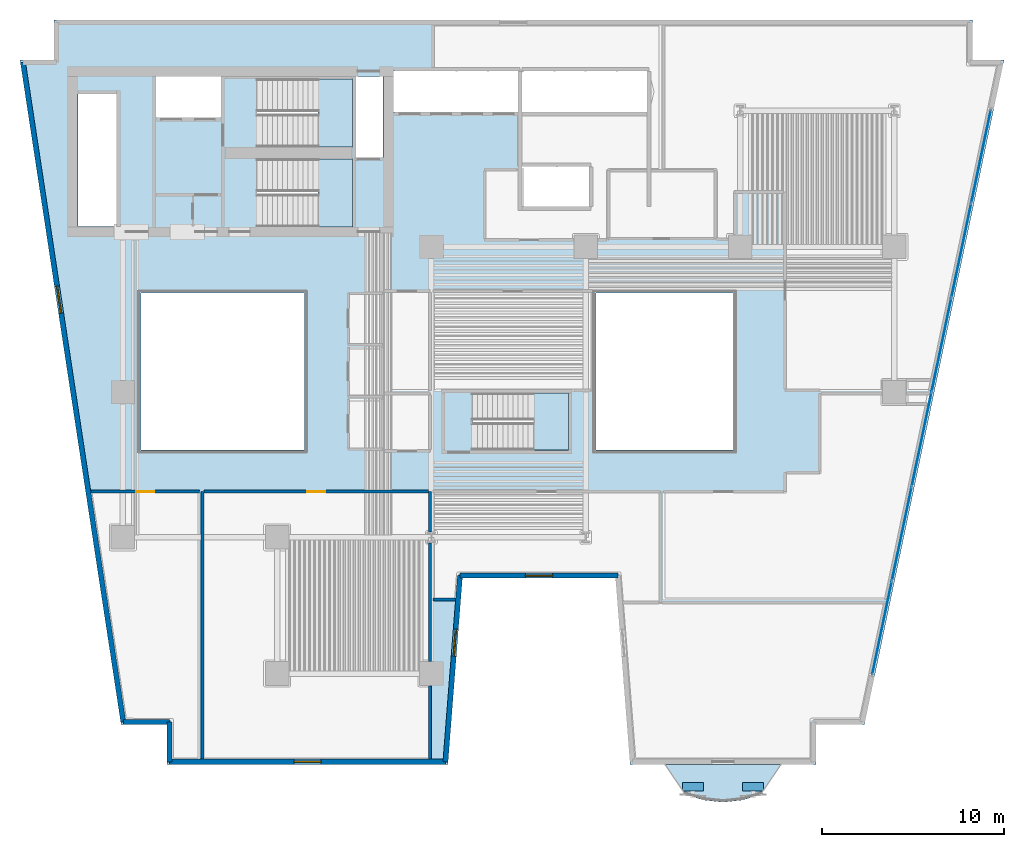
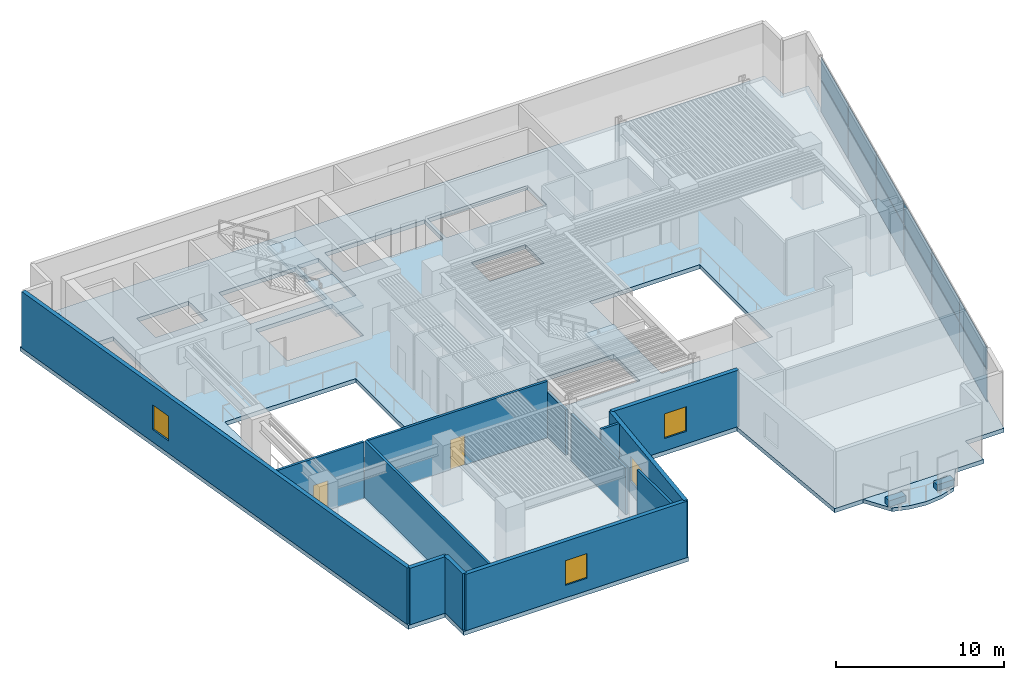
# One storey, part 3 of 11: 14 plates, 13 walls, 5 slabs, 4 windows, 2 doors, 6 openings, 4 elements without a shape of their own.
"""IFC4 building model written with IfcOpenShell, lengths in metres."""

from ifc_helpers import new_model, si_unit, direction, frame, frame_2d, origin, origin_2d, place, context, subcontext, project, spatial, polyline, rectangle, outline, extrude, material, layer, layer_set, type_object, element, fill, aggregate, save


model = new_model("IFC4")

# Units and contexts
model_context = context("Model", 3, precision=1e-05, world=origin(), true_north=direction((0.0, 1.0)))
body_context = subcontext(model_context, "Body", "Model", "MODEL_VIEW")
ifc_project = project(units=[si_unit("LENGTHUNIT", "METRE"), si_unit("AREAUNIT", "SQUARE_METRE"), si_unit("VOLUMEUNIT", "CUBIC_METRE"), si_unit("PLANEANGLEUNIT", "RADIAN"), si_unit("MASSUNIT", "GRAM", prefix="KILO")], contexts=[model_context])

# Site, building, storey
site_placement = place(None, origin())
site = spatial("IfcSite", under=ifc_project, at=site_placement, CompositionType="ELEMENT")
building_placement = place(site_placement, origin())
building = spatial("IfcBuilding", under=site, at=building_placement, Name="Caeloran Harvest Quay", CompositionType="ELEMENT")
storey_placement = place(building_placement, frame((0.0, 0.0, 40.199951171875)))
storey = spatial("IfcBuildingStorey", under=building, at=storey_placement, Name="L09", CompositionType="ELEMENT", Elevation=40.199951171875)

# Slab
ifc_material_1 = material(Name="Concrete C50/60", Category="concrete")
ifc_layer_1 = layer(ifc_material_1, 0.260009765625, Name="Concrete C50/60")
ifc_layer_set_1 = layer_set([ifc_layer_1], Name="Concrete C50/60")
slab_type_1 = type_object("IfcSlabType", Name="BALCONY-BL-260", PredefinedType="FLOOR", material=ifc_layer_set_1)
slab_1_placement = place(storey_placement, frame((0.0, 0.0, -0.260009765625)))
element("IfcSlab", 1, at=slab_1_placement, inside=storey, type_object=slab_type_1, Name="L09 Scalloped Cantilevered Planted Balcony Slab", PredefinedType="FLOOR", context=body_context, shape_type="SweptSolid", body=[
    extrude(outline(polyline([(43.686767578125, 0.849609375), (42.622802734375, 0.527099609375), (41.55859375, 0.408935546875), (40.494384765625, 0.527099609375), (39.43017578125, 0.849609375), (38.378662109375, 2.5), (44.73828125, 2.5), (43.686767578125, 0.849609375)])), origin(), (0.0, 0.0, 1.0), 0.260009765625),
])

# Curtain wall, plates
ifc_material_2 = material(Name="Aluminium 6063-T6 and Low-E Glazing", Category="aluminium")
ifc_layer_2 = layer(ifc_material_2, 0.199951171875, Name="Aluminium 6063-T6 and Low-E Glazing")
ifc_layer_set_2 = layer_set([ifc_layer_2], Name="Aluminium 6063-T6 and Low-E Glazing")
curtain_wall_type = type_object("IfcCurtainWallType", Name="CW-SYS-CW-2", PredefinedType="USERDEFINED", material=ifc_layer_set_2)
curtain_wall_placement = place(storey_placement, origin())
curtain_wall = element("IfcCurtainWall", 2, at=curtain_wall_placement, inside=storey, type_object=curtain_wall_type, Name="L09 Unitised Curtain Wall CW-2 Run 9", ObjectType="CURTAIN_WALL", PredefinedType="USERDEFINED")
ifc_material_3 = material(Name="Low-E Double Glazed Vision Glass Unit", Category="glass")
ifc_layer_3 = layer(ifc_material_3, 0.035888671875, Name="Low-E Double Glazed Vision Glass Unit")
ifc_layer_set_3 = layer_set([ifc_layer_3], Name="Low-E Double Glazed Vision Glass Unit")
plate_type_1 = type_object("IfcPlateType", Name="CW-VISION-PANEL", PredefinedType="CURTAIN_PANEL", material=ifc_layer_set_3)
plate_1_placement = place(storey_placement, frame((55.780029296875, 35.993408203125, 0.080078125), z_axis=(0.0, 0.0, 1.0), x_axis=(-0.205582960081, -0.978639691881, 0.0)))
plate_1 = element("IfcPlate", 3, at=plate_1_placement, type_object=plate_type_1, Name="CW-2 panel 1.1", PredefinedType="CURTAIN_PANEL", context=body_context, shape_type="SweptSolid", body=[
    extrude(rectangle(XDim=5.19873046875, YDim=0.035888671875, at=origin_2d()), origin(), (0.0, 0.0, 1.0), 2.280029296875),
])
plate_2_placement = place(storey_placement, frame((55.780029296875, 35.993408203125, 2.43994140625), z_axis=(0.0, 0.0, 1.0), x_axis=(-0.205582960081, -0.978639691881, 0.0)))
plate_2 = element("IfcPlate", 4, at=plate_2_placement, type_object=plate_type_1, Name="CW-2 panel 1.2", PredefinedType="CURTAIN_PANEL", context=body_context, shape_type="SweptSolid", body=[
    extrude(rectangle(XDim=5.19873046875, YDim=0.035888671875, at=origin_2d()), origin(), (0.0, 0.0, 1.0), 1.580078125),
])
plate_3_placement = place(storey_placement, frame((54.690673828125, 30.807861328125, 0.080078125), z_axis=(0.0, 0.0, 1.0), x_axis=(-0.205582960081, -0.978639691881, 0.0)))
plate_3 = element("IfcPlate", 5, at=plate_3_placement, type_object=plate_type_1, Name="CW-2 panel 2.1", PredefinedType="CURTAIN_PANEL", context=body_context, shape_type="SweptSolid", body=[
    extrude(rectangle(XDim=5.23876953125, YDim=0.035888671875, at=origin_2d()), origin(), (0.0, 0.0, 1.0), 2.280029296875),
])
plate_4_placement = place(storey_placement, frame((54.690673828125, 30.807861328125, 2.43994140625), z_axis=(0.0, 0.0, 1.0), x_axis=(-0.205582960081, -0.978639691881, 0.0)))
plate_4 = element("IfcPlate", 6, at=plate_4_placement, type_object=plate_type_1, Name="CW-2 panel 2.2", PredefinedType="CURTAIN_PANEL", context=body_context, shape_type="SweptSolid", body=[
    extrude(rectangle(XDim=5.23876953125, YDim=0.035888671875, at=origin_2d()), origin(), (0.0, 0.0, 1.0), 1.580078125),
])
plate_5_placement = place(storey_placement, frame((53.59716796875, 25.6025390625, 0.080078125), z_axis=(0.0, 0.0, 1.0), x_axis=(-0.205582960081, -0.978639691881, 0.0)))
plate_5 = element("IfcPlate", 7, at=plate_5_placement, type_object=plate_type_1, Name="CW-2 panel 3.1", PredefinedType="CURTAIN_PANEL", context=body_context, shape_type="SweptSolid", body=[
    extrude(rectangle(XDim=5.23876953125, YDim=0.035888671875, at=origin_2d()), origin(), (0.0, 0.0, 1.0), 2.280029296875),
])
plate_6_placement = place(storey_placement, frame((53.59716796875, 25.6025390625, 2.43994140625), z_axis=(0.0, 0.0, 1.0), x_axis=(-0.205582960081, -0.978639691881, 0.0)))
plate_6 = element("IfcPlate", 8, at=plate_6_placement, type_object=plate_type_1, Name="CW-2 panel 3.2", PredefinedType="CURTAIN_PANEL", context=body_context, shape_type="SweptSolid", body=[
    extrude(rectangle(XDim=5.23876953125, YDim=0.035888671875, at=origin_2d()), origin(), (0.0, 0.0, 1.0), 1.580078125),
])
plate_7_placement = place(storey_placement, frame((52.503662109375, 20.3974609375, 0.080078125), z_axis=(0.0, 0.0, 1.0), x_axis=(-0.205582960081, -0.978639691881, 0.0)))
plate_7 = element("IfcPlate", 9, at=plate_7_placement, type_object=plate_type_1, Name="CW-2 panel 4.1", PredefinedType="CURTAIN_PANEL", context=body_context, shape_type="SweptSolid", body=[
    extrude(rectangle(XDim=5.23876953125, YDim=0.035888671875, at=origin_2d()), origin(), (0.0, 0.0, 1.0), 2.280029296875),
])
plate_8_placement = place(storey_placement, frame((52.503662109375, 20.3974609375, 2.43994140625), z_axis=(0.0, 0.0, 1.0), x_axis=(-0.205582960081, -0.978639691881, 0.0)))
plate_8 = element("IfcPlate", 10, at=plate_8_placement, type_object=plate_type_1, Name="CW-2 panel 4.2", PredefinedType="CURTAIN_PANEL", context=body_context, shape_type="SweptSolid", body=[
    extrude(rectangle(XDim=5.23876953125, YDim=0.035888671875, at=origin_2d()), origin(), (0.0, 0.0, 1.0), 1.580078125),
])
plate_9_placement = place(storey_placement, frame((51.41015625, 15.192138671875, 0.080078125), z_axis=(0.0, 0.0, 1.0), x_axis=(-0.205582960081, -0.978639691881, 0.0)))
plate_9 = element("IfcPlate", 11, at=plate_9_placement, type_object=plate_type_1, Name="CW-2 panel 5.1", PredefinedType="CURTAIN_PANEL", context=body_context, shape_type="SweptSolid", body=[
    extrude(rectangle(XDim=5.23876953125, YDim=0.035888671875, at=origin_2d()), origin(), (0.0, 0.0, 1.0), 2.280029296875),
])
plate_10_placement = place(storey_placement, frame((51.41015625, 15.192138671875, 2.43994140625), z_axis=(0.0, 0.0, 1.0), x_axis=(-0.205582960081, -0.978639691881, 0.0)))
plate_10 = element("IfcPlate", 12, at=plate_10_placement, type_object=plate_type_1, Name="CW-2 panel 5.2", PredefinedType="CURTAIN_PANEL", context=body_context, shape_type="SweptSolid", body=[
    extrude(rectangle(XDim=5.23876953125, YDim=0.035888671875, at=origin_2d()), origin(), (0.0, 0.0, 1.0), 1.580078125),
])
plate_11_placement = place(storey_placement, frame((50.321044921875, 10.006591796875, 0.080078125), z_axis=(0.0, 0.0, 1.0), x_axis=(-0.205582960081, -0.978639691881, 0.0)))
plate_11 = element("IfcPlate", 13, at=plate_11_placement, type_object=plate_type_1, Name="CW-2 panel 6.1", PredefinedType="CURTAIN_PANEL", context=body_context, shape_type="SweptSolid", body=[
    extrude(rectangle(XDim=5.19873046875, YDim=0.035888671875, at=origin_2d()), origin(), (0.0, 0.0, 1.0), 2.280029296875),
])
plate_12_placement = place(storey_placement, frame((50.321044921875, 10.006591796875, 2.43994140625), z_axis=(0.0, 0.0, 1.0), x_axis=(-0.205582960081, -0.978639691881, 0.0)))
plate_12 = element("IfcPlate", 14, at=plate_12_placement, type_object=plate_type_1, Name="CW-2 panel 6.2", PredefinedType="CURTAIN_PANEL", context=body_context, shape_type="SweptSolid", body=[
    extrude(rectangle(XDim=5.19873046875, YDim=0.035888671875, at=origin_2d()), origin(), (0.0, 0.0, 1.0), 1.580078125),
])
aggregate(curtain_wall, [plate_1, plate_2, plate_3, plate_4, plate_5, plate_6, plate_7, plate_8, plate_9, plate_10, plate_11, plate_12])

# Plates
ifc_material_4 = material(Name="Precast concrete C50/60", Category="concrete")
ifc_layer_4 = layer(ifc_material_4, 0.449951171875, Name="Precast concrete C50/60")
ifc_layer_set_4 = layer_set([ifc_layer_4], Name="Precast concrete C50/60")
plate_type_2 = type_object("IfcPlateType", Name="PLANTER-TROUGH-450", PredefinedType="USERDEFINED", material=ifc_layer_set_4)
for number, where, z_axis, x_axis, name in (
    (15, (43.218505859375, 1.2568359375, 0.0), (0.0, 0.0, 1.0), (1.0, 0.0, 0.0), "L09 Balcony Vertical-Greenery Precast PLANTER Trough 1"),
    (16, (39.8984375, 1.2568359375, 0.0), (0.0, 0.0, 1.0), (1.0, 0.0, 0.0), "L09 Balcony Vertical-Greenery Precast PLANTER Trough 2"),
):
    element("IfcPlate", number, at=place(storey_placement, frame(where, z_axis=z_axis, x_axis=x_axis)), inside=storey, type_object=plate_type_2, Name=name, ObjectType="PLANTER", PredefinedType="USERDEFINED", context=body_context, shape_type="SweptSolid", body=[
        extrude(rectangle(XDim=1.14990234375, YDim=0.47998046875, at=origin_2d()), origin(), (0.0, 0.0, 1.0), 0.449951171875),
    ])

# Slab
ifc_layer_5 = layer(ifc_material_1, 0.300048828125, Name="Concrete C50/60")
ifc_layer_set_5 = layer_set([ifc_layer_5], Name="Concrete C50/60")
slab_type_2 = type_object("IfcSlabType", Name="SLAB-FS-300", PredefinedType="FLOOR", material=ifc_layer_set_5)
slab_2_placement = place(storey_placement, frame((0.0, 0.0, -0.300048828125)))
element("IfcSlab", 17, at=slab_2_placement, inside=storey, type_object=slab_type_2, Name="L09 Structural Floor Slab", PredefinedType="FLOOR", context=body_context, shape_type="SweptSolid", body=[
    extrude(outline(polyline([(10.93701171875, 2.5), (26.403076171875, 2.5), (27.202880859375, 12.75), (35.640380859375, 12.75), (36.4404296875, 2.5), (46.68701171875, 2.5), (46.68701171875, 4.699951171875), (49.34912109375, 4.699951171875), (57.037841796875, 41.300048828125), (55.300048828125, 41.300048828125), (55.300048828125, 43.5), (4.699951171875, 43.5), (4.699951171875, 41.300048828125), (2.834716796875, 41.300048828125), (8.40234375, 4.699951171875), (10.93701171875, 4.699951171875), (10.93701171875, 2.5)]), holes=[polyline([(18.5, 19.800048828125), (9.5, 19.800048828125), (9.5, 28.449951171875), (18.5, 28.449951171875), (18.5, 19.800048828125)]), polyline([(15.89990234375, 32.10009765625), (15.89990234375, 35.85009765625), (21.14990234375, 35.85009765625), (21.14990234375, 32.10009765625), (15.89990234375, 32.10009765625)]), polyline([(8.159912109375, 32.1201171875), (6.02001953125, 32.1201171875), (6.02001953125, 39.419921875), (8.159912109375, 39.419921875), (8.159912109375, 32.1201171875)]), polyline([(21.35009765625, 35.919921875), (21.35009765625, 40.3798828125), (22.830078125, 40.3798828125), (22.830078125, 35.919921875), (21.35009765625, 35.919921875)]), polyline([(15.89990234375, 40.25), (21.14990234375, 40.25), (21.14990234375, 36.5), (15.89990234375, 36.5), (15.89990234375, 40.25)]), polyline([(13.89990234375, 38.1201171875), (10.320068359375, 38.1201171875), (10.320068359375, 40.3798828125), (13.89990234375, 40.3798828125), (13.89990234375, 38.1201171875)]), polyline([(27.75, 22.949951171875), (33.050048828125, 22.949951171875), (33.050048828125, 19.800048828125), (27.75, 19.800048828125), (27.75, 22.949951171875)]), polyline([(34.550048828125, 19.800048828125), (34.550048828125, 28.449951171875), (42.14990234375, 28.449951171875), (42.14990234375, 19.800048828125), (34.550048828125, 19.800048828125)]), polyline([(34.199951171875, 33.219970703125), (30.47998046875, 33.219970703125), (30.47998046875, 35.429931640625), (34.199951171875, 35.429931640625), (34.199951171875, 33.219970703125)]), polyline([(23.419921875, 38.419921875), (23.419921875, 40.679931640625), (30.280029296875, 40.679931640625), (30.280029296875, 38.419921875), (23.419921875, 38.419921875)]), polyline([(30.47998046875, 38.419921875), (30.47998046875, 40.679931640625), (37.3798828125, 40.679931640625), (37.3798828125, 38.419921875), (30.47998046875, 38.419921875)])]), origin(), (0.0, 0.0, 1.0), 0.300048828125),
])

# Stair, slab
stair_type_1 = type_object("IfcStairType", Name="STAIR-STC-180", PredefinedType="HALF_TURN_STAIR", material=ifc_material_1)
stair_1_placement = place(storey_placement, origin())
stair_1 = element("IfcStair", 18, at=stair_1_placement, inside=storey, type_object=stair_type_1, Name="L09 Core Pressurized Exit Stair ST-C1", PredefinedType="HALF_TURN_STAIR")
ifc_layer_6 = layer(ifc_material_1, 0.219970703125, Name="Concrete C50/60")
ifc_layer_set_6 = layer_set([ifc_layer_6], Name="Concrete C50/60")
slab_type_3 = type_object("IfcSlabType", Name="STAIR-LANDING-220", PredefinedType="LANDING", material=ifc_layer_set_6)
slab_3_placement = place(storey_placement, frame((0.0, 0.0, 2.0)))
slab_3 = element("IfcSlab", 19, at=slab_3_placement, type_object=slab_type_3, Name="ST-C1 landing 1", PredefinedType="LANDING", context=body_context, shape_type="SweptSolid", body=[
    extrude(outline(polyline([(19.260009765625, 36.5), (21.14990234375, 36.5), (21.14990234375, 40.25), (19.260009765625, 40.25), (19.260009765625, 36.5)])), origin(), (0.0, 0.0, 1.0), 0.199951171875),
])
aggregate(stair_1, [slab_3])

stair_2_placement = place(storey_placement, origin())
stair_2 = element("IfcStair", 20, at=stair_2_placement, inside=storey, type_object=stair_type_1, Name="L09 Core Pressurized Exit Stair ST-C2", PredefinedType="HALF_TURN_STAIR")
slab_4_placement = place(storey_placement, frame((0.0, 0.0, 2.0)))
slab_4 = element("IfcSlab", 21, at=slab_4_placement, type_object=slab_type_3, Name="ST-C2 landing 1", PredefinedType="LANDING", context=body_context, shape_type="SweptSolid", body=[
    extrude(outline(polyline([(19.260009765625, 32.10009765625), (21.14990234375, 32.10009765625), (21.14990234375, 35.85009765625), (19.260009765625, 35.85009765625), (19.260009765625, 32.10009765625)])), origin(), (0.0, 0.0, 1.0), 0.199951171875),
])
aggregate(stair_2, [slab_4])

stair_type_2 = type_object("IfcStairType", Name="STAIR-STW-150", PredefinedType="HALF_TURN_STAIR", material=ifc_material_1)
stair_3_placement = place(storey_placement, origin())
stair_3 = element("IfcStair", 22, at=stair_3_placement, inside=storey, type_object=stair_type_2, Name="L09 East Wing Protected Exit Stair ST-W1", PredefinedType="HALF_TURN_STAIR")
slab_5_placement = place(storey_placement, frame((0.0, 0.0, 2.0)))
slab_5 = element("IfcSlab", 23, at=slab_5_placement, type_object=slab_type_3, Name="ST-W1 landing 1", PredefinedType="LANDING", context=body_context, shape_type="SweptSolid", body=[
    extrude(outline(polyline([(31.110107421875, 19.800048828125), (33.050048828125, 19.800048828125), (33.050048828125, 22.949951171875), (31.110107421875, 22.949951171875), (31.110107421875, 19.800048828125)])), origin(), (0.0, 0.0, 1.0), 0.199951171875),
])
aggregate(stair_3, [slab_5])

# Walls
ifc_layer_7 = layer(ifc_material_4, 0.280029296875, Name="Precast concrete C50/60")
ifc_layer_set_7 = layer_set([ifc_layer_7], Name="Precast concrete C50/60")
wall_type_1 = type_object("IfcWallType", Name="ENV-WALL-EW-280", PredefinedType="STANDARD", material=ifc_layer_set_7)
wall_1_placement = place(storey_placement, frame((11.076904296875, 2.639892578125, 0.0), z_axis=(0.0, 0.0, 1.0), x_axis=(0.0, 1.0, 0.0)))
element("IfcWall", 24, at=wall_1_placement, inside=storey, type_object=wall_type_1, Name="L09 Exterior Precast Concrete Facade Wall 1", PredefinedType="STANDARD", context=body_context, shape_type="SweptSolid", body=[
    extrude(rectangle(XDim=2.2001953125, YDim=0.280029296875, at=frame_2d((1.10009765625, 0.0))), origin(), (0.0, 0.0, 1.0), 4.10009765625),
])
wall_2_placement = place(storey_placement, frame((11.076904296875, 4.840087890625, 0.0), z_axis=(0.0, 0.0, 1.0), x_axis=(-1.0, 0.0, 0.0)))
element("IfcWall", 25, at=wall_2_placement, inside=storey, type_object=wall_type_1, Name="L09 Exterior Precast Concrete Facade Wall 2", PredefinedType="STANDARD", context=body_context, shape_type="SweptSolid", body=[
    extrude(rectangle(XDim=2.55419921875, YDim=0.280029296875, at=frame_2d((1.277099609375, 0.0))), origin(), (0.0, 0.0, 1.0), 4.10009765625),
])

# Wall, opening, window
wall_3_placement = place(storey_placement, frame((8.522705078125, 4.840087890625, 0.0), z_axis=(0.0, 0.0, 1.0), x_axis=(-0.150394554312, 0.988626055712, 0.0)))
wall_3 = element("IfcWall", 26, at=wall_3_placement, inside=storey, type_object=wall_type_1, Name="L09 Exterior Precast Concrete Facade Wall 3", PredefinedType="STANDARD", context=body_context, shape_type="SweptSolid", body=[
    extrude(rectangle(XDim=36.73779296875, YDim=0.280029296875, at=frame_2d((18.368896484375, 0.0))), origin(), (0.0, 0.0, 1.0), 4.10009765625),
])
opening_1_placement = place(wall_3_placement, frame((22.761962890625, 0.0, 0.89990234375)))
opening_1 = element("IfcOpeningElement", 27, at=opening_1_placement, cuts=wall_3, Name="Opening W-03", PredefinedType="OPENING", context=body_context, shape_type="SweptSolid", body=[
    extrude(rectangle(XDim=1.5, YDim=1.800048828125, at=frame_2d((0.75, 0.89990234375))), frame((0.0, 0.14990234375, 0.0), z_axis=(0.0, -1.0, 0.0), x_axis=(1.0, 0.0, 0.0)), (0.0, 0.0, 1.0), 0.300048828125),
])
ifc_material_5 = material(Name="Aluminium-Framed Low-E Laminated Glass", Category="aluminium")
window_type = type_object("IfcWindowType", Name="WIN-W-03", PartitioningType="SINGLE_PANEL", PredefinedType="WINDOW", material=ifc_material_5)
window_1_placement = place(opening_1_placement, origin())
window_1 = element("IfcWindow", 28, at=window_1_placement, inside=storey, type_object=window_type, Name="L09 Facade Punched Window W-03", OverallHeight=1.800048828125, OverallWidth=1.5, PartitioningType="SINGLE_PANEL", PredefinedType="WINDOW", context=body_context, shape_type="SweptSolid", body=[
    extrude(rectangle(XDim=1.5, YDim=1.800048828125, at=frame_2d((0.75, 0.89990234375))), frame((0.0, 0.030029296875, 0.0), z_axis=(0.0, -1.0, 0.0), x_axis=(1.0, 0.0, 0.0)), (0.0, 0.0, 1.0), 0.06005859375),
])
fill(opening_1, window_1)

wall_4_placement = place(storey_placement, frame((35.77001953125, 12.889892578125, 0.0), z_axis=(0.0, 0.0, 1.0), x_axis=(-1.0, 0.0, 0.0)))
wall_4 = element("IfcWall", 29, at=wall_4_placement, inside=storey, type_object=wall_type_1, Name="L09 Exterior Precast Concrete Facade Wall 14", PredefinedType="STANDARD", context=body_context, shape_type="SweptSolid", body=[
    extrude(rectangle(XDim=8.696533203125, YDim=0.280029296875, at=frame_2d((4.34814453125, 0.0))), origin(), (0.0, 0.0, 1.0), 4.10009765625),
])
opening_2_placement = place(wall_4_placement, frame((3.597900390625, 0.0, 0.89990234375)))
opening_2 = element("IfcOpeningElement", 30, at=opening_2_placement, cuts=wall_4, Name="Opening W-03", PredefinedType="OPENING", context=body_context, shape_type="SweptSolid", body=[
    extrude(rectangle(XDim=1.5, YDim=1.800048828125, at=frame_2d((0.75, 0.89990234375))), frame((0.0, 0.14990234375, 0.0), z_axis=(0.0, -1.0, 0.0), x_axis=(1.0, 0.0, 0.0)), (0.0, 0.0, 1.0), 0.300048828125),
])
window_2_placement = place(opening_2_placement, origin())
window_2 = element("IfcWindow", 31, at=window_2_placement, inside=storey, type_object=window_type, Name="L09 Facade Punched Window W-03", OverallHeight=1.800048828125, OverallWidth=1.5, PartitioningType="SINGLE_PANEL", PredefinedType="WINDOW", context=body_context, shape_type="SweptSolid", body=[
    extrude(rectangle(XDim=1.5, YDim=1.800048828125, at=frame_2d((0.75, 0.89990234375))), frame((0.0, 0.030029296875, 0.0), z_axis=(0.0, -1.0, 0.0), x_axis=(1.0, 0.0, 0.0)), (0.0, 0.0, 1.0), 0.06005859375),
])
fill(opening_2, window_2)

wall_5_placement = place(storey_placement, frame((27.073486328125, 12.889892578125, 0.0), z_axis=(0.0, 0.0, 1.0), x_axis=(-0.077816860153, -0.996967670627, 0.0)))
wall_5 = element("IfcWall", 32, at=wall_5_placement, inside=storey, type_object=wall_type_1, Name="L09 Exterior Precast Concrete Facade Wall 15", PredefinedType="STANDARD", context=body_context, shape_type="SweptSolid", body=[
    extrude(rectangle(XDim=10.28125, YDim=0.280029296875, at=frame_2d((5.140625, 0.0))), origin(), (0.0, 0.0, 1.0), 4.10009765625),
])
opening_3_placement = place(wall_5_placement, frame((2.950927734375, 0.0, 0.89990234375)))
opening_3 = element("IfcOpeningElement", 33, at=opening_3_placement, cuts=wall_5, Name="Opening W-03", PredefinedType="OPENING", context=body_context, shape_type="SweptSolid", body=[
    extrude(rectangle(XDim=1.5, YDim=1.800048828125, at=frame_2d((0.75, 0.89990234375))), frame((0.0, 0.14990234375, 0.0), z_axis=(0.0, -1.0, 0.0), x_axis=(1.0, 0.0, 0.0)), (0.0, 0.0, 1.0), 0.300048828125),
])
window_3_placement = place(opening_3_placement, origin())
window_3 = element("IfcWindow", 34, at=window_3_placement, inside=storey, type_object=window_type, Name="L09 Facade Punched Window W-03", OverallHeight=1.800048828125, OverallWidth=1.5, PartitioningType="SINGLE_PANEL", PredefinedType="WINDOW", context=body_context, shape_type="SweptSolid", body=[
    extrude(rectangle(XDim=1.5, YDim=1.800048828125, at=frame_2d((0.75, 0.89990234375))), frame((0.0, 0.030029296875, 0.0), z_axis=(0.0, -1.0, 0.0), x_axis=(1.0, 0.0, 0.0)), (0.0, 0.0, 1.0), 0.06005859375),
])
fill(opening_3, window_3)

wall_6_placement = place(storey_placement, frame((26.2734375, 2.639892578125, 0.0), z_axis=(0.0, 0.0, 1.0), x_axis=(-1.0, 0.0, 0.0)))
wall_6 = element("IfcWall", 35, at=wall_6_placement, inside=storey, type_object=wall_type_1, Name="L09 Exterior Precast Concrete Facade Wall 16", PredefinedType="STANDARD", context=body_context, shape_type="SweptSolid", body=[
    extrude(rectangle(XDim=15.196533203125, YDim=0.280029296875, at=frame_2d((7.59814453125, 0.0))), origin(), (0.0, 0.0, 1.0), 4.10009765625),
])
opening_4_placement = place(wall_6_placement, frame((6.847900390625, 0.0, 0.89990234375)))
opening_4 = element("IfcOpeningElement", 36, at=opening_4_placement, cuts=wall_6, Name="Opening W-03", PredefinedType="OPENING", context=body_context, shape_type="SweptSolid", body=[
    extrude(rectangle(XDim=1.5, YDim=1.800048828125, at=frame_2d((0.75, 0.89990234375))), frame((0.0, 0.14990234375, 0.0), z_axis=(0.0, -1.0, 0.0), x_axis=(1.0, 0.0, 0.0)), (0.0, 0.0, 1.0), 0.300048828125),
])
window_4_placement = place(opening_4_placement, origin())
window_4 = element("IfcWindow", 37, at=window_4_placement, inside=storey, type_object=window_type, Name="L09 Facade Punched Window W-03", OverallHeight=1.800048828125, OverallWidth=1.5, PartitioningType="SINGLE_PANEL", PredefinedType="WINDOW", context=body_context, shape_type="SweptSolid", body=[
    extrude(rectangle(XDim=1.5, YDim=1.800048828125, at=frame_2d((0.75, 0.89990234375))), frame((0.0, 0.030029296875, 0.0), z_axis=(0.0, -1.0, 0.0), x_axis=(1.0, 0.0, 0.0)), (0.0, 0.0, 1.0), 0.06005859375),
])
fill(opening_4, window_4)

# Walls
ifc_material_6 = material(Name="Autoclaved Aerated Concrete Blockwork", Category="masonry")
ifc_layer_8 = layer(ifc_material_6, 0.1650390625, Name="Autoclaved Aerated Concrete Blockwork")
ifc_layer_set_8 = layer_set([ifc_layer_8], Name="Autoclaved Aerated Concrete Blockwork")
wall_type_2 = type_object("IfcWallType", Name="INT-WALL-PW-165", PredefinedType="PARTITIONING", material=ifc_layer_set_8)
wall_7_placement = place(storey_placement, frame((25.419921875, 17.52001953125, 0.0), z_axis=(0.0, 0.0, 1.0), x_axis=(0.0, -1.0, 0.0)))
element("IfcWall", 38, at=wall_7_placement, inside=storey, type_object=wall_type_2, Name="Saffron and Herb Vertical Growing Room Partition Wall", PredefinedType="PARTITIONING", context=body_context, shape_type="SweptSolid", body=[
    extrude(rectangle(XDim=2.21044921875, YDim=0.1650390625, at=frame_2d((1.105224609375, 0.0))), origin(), (0.0, 0.0, 1.0), 3.28515625),
])
wall_8_placement = place(storey_placement, frame((25.419921875, 14.6904296875, 0.0), z_axis=(0.0, 0.0, 1.0), x_axis=(0.0, -1.0, 0.0)))
element("IfcWall", 39, at=wall_8_placement, inside=storey, type_object=wall_type_2, Name="Saffron and Herb Vertical Growing Room Partition Wall", PredefinedType="PARTITIONING", context=body_context, shape_type="SweptSolid", body=[
    extrude(rectangle(XDim=6.515380859375, YDim=0.1650390625, at=frame_2d((3.2578125, 0.0))), origin(), (0.0, 0.0, 1.0), 3.385009765625),
])
wall_9_placement = place(storey_placement, frame((25.419921875, 6.824951171875, 0.0), z_axis=(0.0, 0.0, 1.0), x_axis=(0.0, -1.0, 0.0)))
element("IfcWall", 40, at=wall_9_placement, inside=storey, type_object=wall_type_2, Name="Saffron and Herb Vertical Growing Room Partition Wall", PredefinedType="PARTITIONING", context=body_context, shape_type="SweptSolid", body=[
    extrude(rectangle(XDim=4.0400390625, YDim=0.1650390625, at=frame_2d((2.02001953125, 0.0))), origin(), (0.0, 0.0, 1.0), 4.10009765625),
])
wall_10_placement = place(storey_placement, frame((12.8798828125, 2.784912109375, 0.0), z_axis=(0.0, 0.0, 1.0), x_axis=(0.0, 1.0, 0.0)))
element("IfcWall", 41, at=wall_10_placement, inside=storey, type_object=wall_type_2, Name="Saffron and Herb Vertical Growing Room Partition Wall", PredefinedType="PARTITIONING", context=body_context, shape_type="SweptSolid", body=[
    extrude(rectangle(XDim=14.735107421875, YDim=0.1650390625, at=frame_2d((7.36767578125, 0.0))), origin(), (0.0, 0.0, 1.0), 4.10009765625),
])

# Wall, opening, door
wall_11_placement = place(storey_placement, frame((12.967529296875, 17.52001953125, 0.0), z_axis=(0.0, 0.0, 1.0), x_axis=(1.0, 0.0, 0.0)))
wall_11 = element("IfcWall", 42, at=wall_11_placement, inside=storey, type_object=wall_type_2, Name="Saffron and Herb Vertical Growing Room Partition Wall", PredefinedType="PARTITIONING", context=body_context, shape_type="SweptSolid", body=[
    extrude(rectangle(XDim=12.364990234375, YDim=0.1650390625, at=frame_2d((6.1826171875, 0.0))), origin(), (0.0, 0.0, 1.0), 4.10009765625),
])
opening_5_placement = place(wall_11_placement, frame((5.6826171875, 0.0, 0.0)))
opening_5 = element("IfcOpeningElement", 43, at=opening_5_placement, cuts=wall_11, Name="Opening ID-01", PredefinedType="OPENING", context=body_context, shape_type="SweptSolid", body=[
    extrude(rectangle(XDim=1.0, YDim=2.14990234375, at=frame_2d((0.5, 1.074951171875))), frame((0.0, 0.092529296875, 0.0), z_axis=(0.0, -1.0, 0.0), x_axis=(1.0, 0.0, 0.0)), (0.0, 0.0, 1.0), 0.18505859375),
])
ifc_material_7 = material(Name="FSC Solid-Core Ash Timber and Acoustic Seal", Category="wood")
door_type = type_object("IfcDoorType", Name="INTDOOR-ID-01", OperationType="NOTDEFINED", PredefinedType="DOOR", material=ifc_material_7)
door_1_placement = place(opening_5_placement, origin())
door_1 = element("IfcDoor", 44, at=door_1_placement, inside=storey, type_object=door_type, Name="Saffron and Herb Vertical Growing Room Access Door", OperationType="SINGLE_SWING_RIGHT", OverallHeight=2.14990234375, OverallWidth=1.0, PredefinedType="DOOR", context=body_context, shape_type="SweptSolid", body=[
    extrude(rectangle(XDim=1.0, YDim=2.14990234375, at=frame_2d((0.5, 1.074951171875))), frame((0.0, 0.02490234375, 0.0), z_axis=(0.0, -1.0, 0.0), x_axis=(1.0, 0.0, 0.0)), (0.0, 0.0, 1.0), 0.050048828125),
])
fill(opening_5, door_1)

# Wall
wall_12_placement = place(storey_placement, frame((26.82568359375, 11.580078125, 0.0), z_axis=(0.0, 0.0, 1.0), x_axis=(-1.0, 0.0, 0.0)))
element("IfcWall", 45, at=wall_12_placement, inside=storey, type_object=wall_type_2, Name="Microgreens LED Rack Chamber Partition Wall", PredefinedType="PARTITIONING", context=body_context, shape_type="SweptSolid", body=[
    extrude(rectangle(XDim=1.24560546875, YDim=0.1650390625, at=frame_2d((0.622802734375, 0.0))), origin(), (0.0, 0.0, 1.0), 4.10009765625),
])

# Wall, opening, door
wall_13_placement = place(storey_placement, frame((6.740478515625, 17.52001953125, 0.0), z_axis=(0.0, 0.0, 1.0), x_axis=(1.0, 0.0, 0.0)))
wall_13 = element("IfcWall", 46, at=wall_13_placement, inside=storey, type_object=wall_type_2, Name="Pollination Entomology Laboratory Partition Wall", PredefinedType="PARTITIONING", context=body_context, shape_type="SweptSolid", body=[
    extrude(rectangle(XDim=5.9794921875, YDim=0.1650390625, at=frame_2d((2.98974609375, 0.0))), origin(), (0.0, 0.0, 1.0), 4.10009765625),
])
opening_6_placement = place(wall_13_placement, frame((2.48974609375, 0.0, 0.0)))
opening_6 = element("IfcOpeningElement", 47, at=opening_6_placement, cuts=wall_13, Name="Opening ID-01", PredefinedType="OPENING", context=body_context, shape_type="SweptSolid", body=[
    extrude(rectangle(XDim=1.0, YDim=2.14990234375, at=frame_2d((0.5, 1.074951171875))), frame((0.0, 0.092529296875, 0.0), z_axis=(0.0, -1.0, 0.0), x_axis=(1.0, 0.0, 0.0)), (0.0, 0.0, 1.0), 0.18505859375),
])
door_2_placement = place(opening_6_placement, origin())
door_2 = element("IfcDoor", 48, at=door_2_placement, inside=storey, type_object=door_type, Name="Pollination Entomology Laboratory Access Door", OperationType="SINGLE_SWING_RIGHT", OverallHeight=2.14990234375, OverallWidth=1.0, PredefinedType="DOOR", context=body_context, shape_type="SweptSolid", body=[
    extrude(rectangle(XDim=1.0, YDim=2.14990234375, at=frame_2d((0.5, 1.074951171875))), frame((0.0, 0.02490234375, 0.0), z_axis=(0.0, -1.0, 0.0), x_axis=(1.0, 0.0, 0.0)), (0.0, 0.0, 1.0), 0.050048828125),
])
fill(opening_6, door_2)

save(model, "model.ifc")
